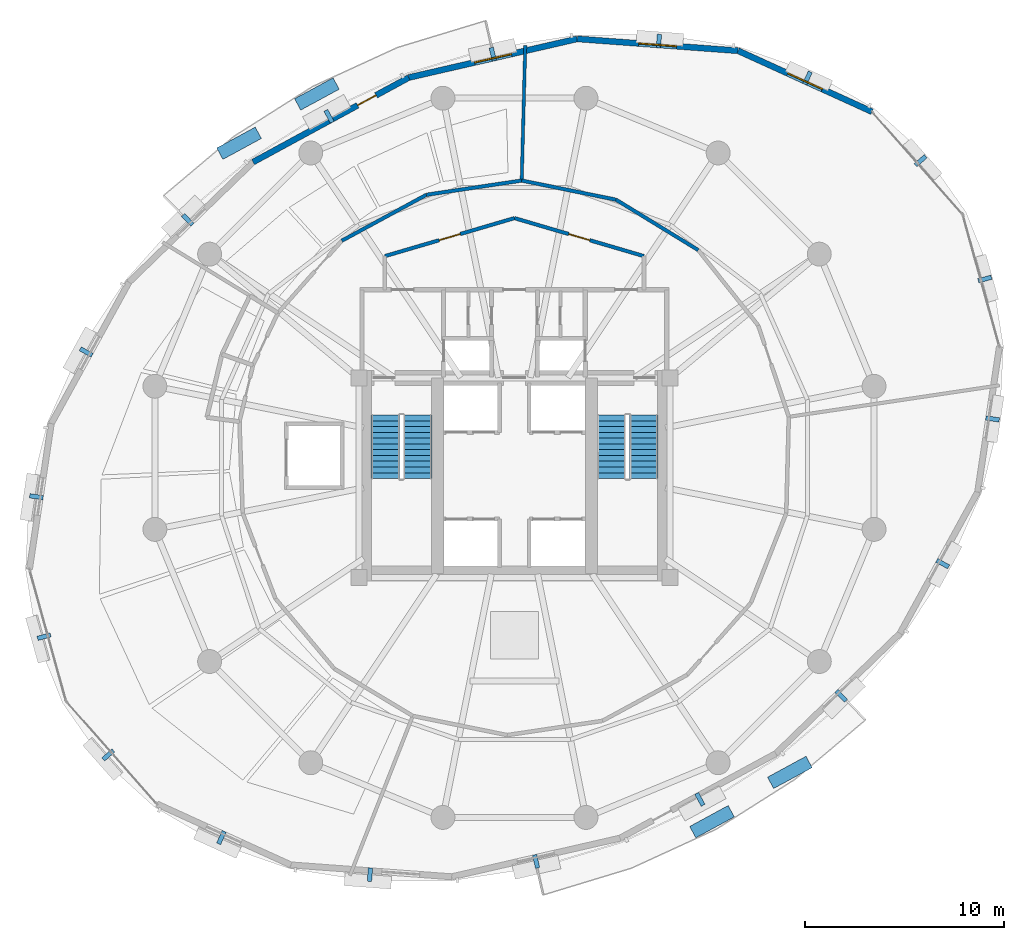
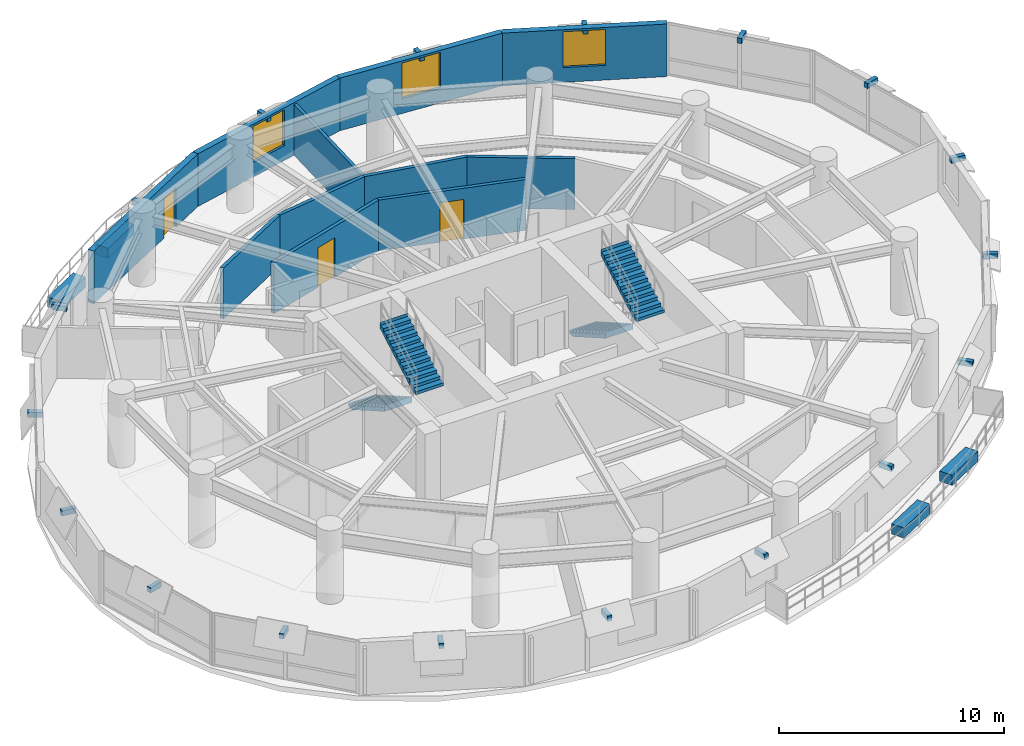
# One storey, part 10 of 12: 22 discrete accessories, 11 walls, 4 stair flights, 3 doors, 3 windows, 6 openings, 2 elements without a shape of their own.
"""IFC4 building model written with IfcOpenShell, lengths in metres."""

from ifc_helpers import new_model, si_unit, direction, frame, frame_2d, origin, origin_2d, place, context, subcontext, project, spatial, polyline, rectangle, outline, extrude, material, layer, layer_set, type_object, element, fill, aggregate, save


model = new_model("IFC4")

# Units and contexts
model_context = context("Model", 3, precision=1e-05, world=origin(), true_north=direction((0.0, 1.0)))
body_context = subcontext(model_context, "Body", "Model", "MODEL_VIEW")
ifc_project = project(units=[si_unit("LENGTHUNIT", "METRE"), si_unit("AREAUNIT", "SQUARE_METRE"), si_unit("VOLUMEUNIT", "CUBIC_METRE"), si_unit("PLANEANGLEUNIT", "RADIAN"), si_unit("MASSUNIT", "GRAM", prefix="KILO"), si_unit("THERMODYNAMICTEMPERATUREUNIT", "KELVIN"), si_unit("POWERUNIT", "WATT")], contexts=[model_context])

# Site, building, storey
site_placement = place(None, origin())
site = spatial("IfcSite", under=ifc_project, at=site_placement, CompositionType="ELEMENT")
building_placement = place(site_placement, origin())
building = spatial("IfcBuilding", under=site, at=building_placement, Name="Ocrelia Relay Tower", CompositionType="ELEMENT")
storey_placement = place(building_placement, frame((0.0, 0.0, 153.800048828125)))
storey = spatial("IfcBuildingStorey", under=building, at=storey_placement, Name="L36", CompositionType="ELEMENT", Elevation=153.800048828125)

# Wall, opening, door
ifc_material_1 = material(Name="Gypsum Fireboard Partition EI60", Category="gypsum")
ifc_layer_1 = layer(ifc_material_1, 0.179931640625, Name="Gypsum Fireboard Partition EI60")
ifc_layer_set_1 = layer_set([ifc_layer_1], Name="Gypsum Fireboard Partition EI60")
wall_type_1 = type_object("IfcWallType", Name="W-CORR-EI60-180", PredefinedType="PARTITIONING", material=ifc_layer_set_1)
wall_1_placement = place(storey_placement, frame((27.5, 36.122802734375, 0.0), z_axis=(0.0, 0.0, 1.0), x_axis=(0.959546654541, 0.281549671923, 0.0)))
wall_1 = element("IfcWall", 1, at=wall_1_placement, inside=storey, type_object=wall_type_1, Name="L36 North Smoke Lobby W Screen Wall", PredefinedType="PARTITIONING", context=body_context, shape_type="SweptSolid", body=[
    extrude(rectangle(XDim=6.77392578125, YDim=0.179931640625, at=frame_2d((3.386962890625, 0.0))), origin(), (0.0, 0.0, 1.0), 2.760009765625),
])
opening_1_placement = place(wall_1_placement, frame((2.8369140625, 0.0, 0.0)))
opening_1 = element("IfcOpeningElement", 2, at=opening_1_placement, cuts=wall_1, Name="Opening D-FD60", PredefinedType="OPENING", context=body_context, shape_type="SweptSolid", body=[
    extrude(rectangle(XDim=1.10009765625, YDim=2.14990234375, at=frame_2d((0.550048828125, 1.074951171875))), frame((0.0, 0.10009765625, 0.0), z_axis=(0.0, -1.0, 0.0), x_axis=(1.0, 0.0, 0.0)), (0.0, 0.0, 1.0), 0.199951171875),
])
ifc_material_2 = material(Name="Timber-core 60-min acoustic fire door", Category="wood")
door_type_1 = type_object("IfcDoorType", Name="DR-LOBBY-FD60-1100", OperationType="NOTDEFINED", PredefinedType="DOOR", material=ifc_material_2)
door_1_placement = place(opening_1_placement, origin())
door_1 = element("IfcDoor", 3, at=door_1_placement, inside=storey, type_object=door_type_1, Name="L36 North Smoke Lobby W Fire Door", OperationType="SINGLE_SWING_RIGHT", OverallHeight=2.14990234375, OverallWidth=1.10009765625, PredefinedType="DOOR", context=body_context, shape_type="SweptSolid", body=[
    extrude(rectangle(XDim=1.10009765625, YDim=2.14990234375, at=frame_2d((0.550048828125, 1.074951171875))), frame((0.0, 0.02490234375, 0.0), z_axis=(0.0, -1.0, 0.0), x_axis=(1.0, 0.0, 0.0)), (0.0, 0.0, 1.0), 0.050048828125),
])
fill(opening_1, door_1)

wall_2_placement = place(storey_placement, frame((34.0, 38.030029296875, 0.0), z_axis=(0.0, 0.0, 1.0), x_axis=(0.959546654541, -0.281549671923, 0.0)))
wall_2 = element("IfcWall", 4, at=wall_2_placement, inside=storey, type_object=wall_type_1, Name="L36 North Smoke Lobby E Screen Wall", PredefinedType="PARTITIONING", context=body_context, shape_type="SweptSolid", body=[
    extrude(rectangle(XDim=6.77392578125, YDim=0.179931640625, at=frame_2d((3.386962890625, 0.0))), origin(), (0.0, 0.0, 1.0), 2.760009765625),
])
opening_2_placement = place(wall_2_placement, frame((2.8369140625, 0.0, 0.0)))
opening_2 = element("IfcOpeningElement", 5, at=opening_2_placement, cuts=wall_2, Name="Opening D-FD60", PredefinedType="OPENING", context=body_context, shape_type="SweptSolid", body=[
    extrude(rectangle(XDim=1.10009765625, YDim=2.14990234375, at=frame_2d((0.550048828125, 1.074951171875))), frame((0.0, 0.10009765625, 0.0), z_axis=(0.0, -1.0, 0.0), x_axis=(1.0, 0.0, 0.0)), (0.0, 0.0, 1.0), 0.199951171875),
])
door_2_placement = place(opening_2_placement, origin())
door_2 = element("IfcDoor", 6, at=door_2_placement, inside=storey, type_object=door_type_1, Name="L36 North Smoke Lobby E Fire Door", OperationType="SINGLE_SWING_LEFT", OverallHeight=2.14990234375, OverallWidth=1.10009765625, PredefinedType="DOOR", context=body_context, shape_type="SweptSolid", body=[
    extrude(rectangle(XDim=1.10009765625, YDim=2.14990234375, at=frame_2d((0.550048828125, 1.074951171875))), frame((0.0, 0.02490234375, 0.0), z_axis=(0.0, -1.0, 0.0), x_axis=(1.0, 0.0, 0.0)), (0.0, 0.0, 1.0), 0.050048828125),
])
fill(opening_2, door_2)

# Walls
wall_3_placement = place(storey_placement, frame((43.2236328125, 36.425537109375, 0.0), z_axis=(0.0, 0.0, 1.0), x_axis=(-0.852638267809, 0.522501659584, 0.0)))
element("IfcWall", 7, at=wall_3_placement, inside=storey, type_object=wall_type_1, Name="L36 Visitor Concierge Foyer Corridor Partition 3", PredefinedType="PARTITIONING", context=body_context, shape_type="SweptSolid", body=[
    extrude(rectangle(XDim=4.834228515625, YDim=0.179931640625, at=frame_2d((2.4169921875, 0.0))), origin(), (0.0, 0.0, 1.0), 2.760009765625),
])
wall_4_placement = place(storey_placement, frame((39.101806640625, 38.951416015625, 0.0), z_axis=(0.0, 0.0, 1.0), x_axis=(-0.979922617064, 0.199378194814, 0.0)))
element("IfcWall", 8, at=wall_4_placement, inside=storey, type_object=wall_type_1, Name="L36 Visitor Concierge Foyer Corridor Partition 4", PredefinedType="PARTITIONING", context=body_context, shape_type="SweptSolid", body=[
    extrude(rectangle(XDim=4.83447265625, YDim=0.179931640625, at=frame_2d((2.417236328125, 0.0))), origin(), (0.0, 0.0, 1.0), 2.760009765625),
])
wall_5_placement = place(storey_placement, frame((34.364501953125, 39.915283203125, 0.0), z_axis=(0.0, 0.0, 1.0), x_axis=(-0.989015847575, -0.147809516765, 0.0)))
element("IfcWall", 9, at=wall_5_placement, inside=storey, type_object=wall_type_1, Name="L36 Sky Observation Lounge Corridor Partition 1", PredefinedType="PARTITIONING", context=body_context, shape_type="SweptSolid", body=[
    extrude(rectangle(XDim=4.834716796875, YDim=0.179931640625, at=frame_2d((2.41748046875, 0.0))), origin(), (0.0, 0.0, 1.0), 2.760009765625),
])
wall_6_placement = place(storey_placement, frame((29.5830078125, 39.20068359375, 0.0), z_axis=(0.0, 0.0, 1.0), x_axis=(-0.878795344005, -0.477198850957, 0.0)))
element("IfcWall", 10, at=wall_6_placement, inside=storey, type_object=wall_type_1, Name="L36 Sky Observation Lounge Corridor Partition 2", PredefinedType="PARTITIONING", context=body_context, shape_type="SweptSolid", body=[
    extrude(rectangle(XDim=4.834228515625, YDim=0.179931640625, at=frame_2d((2.4169921875, 0.0))), origin(), (0.0, 0.0, 1.0), 2.760009765625),
])

# Wall, opening, window
ifc_material_3 = material(Name="Precast concrete C40/50 with oxide terracotta", Category="masonry")
ifc_layer_2 = layer(ifc_material_3, 0.300048828125, Name="Precast concrete C40/50 with oxide terracotta")
ifc_layer_set_2 = layer_set([ifc_layer_2], Name="Precast concrete C40/50 with oxide terracotta")
wall_type_2 = type_object("IfcWallType", Name="W-EXT-TERR-300", PredefinedType="SOLIDWALL", material=ifc_layer_set_2)
wall_7_placement = place(storey_placement, frame((51.9423828125, 43.369873046875, 0.0), z_axis=(0.0, 0.0, 1.0), x_axis=(-0.910116049125, 0.414353444688, 0.0)))
wall_7 = element("IfcWall", 11, at=wall_7_placement, inside=storey, type_object=wall_type_2, Name="L36 Oxide Terracotta Facade Wall 02", PredefinedType="SOLIDWALL", context=body_context, shape_type="SweptSolid", body=[
    extrude(rectangle(XDim=7.38330078125, YDim=0.300048828125, at=frame_2d((3.691650390625, 0.0))), origin(), (0.0, 0.0, 1.0), 2.85986328125),
])
opening_3_placement = place(wall_7_placement, frame((2.741943359375, 0.0, 0.800048828125)))
opening_3 = element("IfcOpeningElement", 12, at=opening_3_placement, cuts=wall_7, Name="Opening W-06", PredefinedType="OPENING", context=body_context, shape_type="SweptSolid", body=[
    extrude(rectangle(XDim=1.89990234375, YDim=1.949951171875, at=frame_2d((0.949951171875, 0.97509765625))), frame((0.0, 0.16015625, 0.0), z_axis=(0.0, -1.0, 0.0), x_axis=(1.0, 0.0, 0.0)), (0.0, 0.0, 1.0), 0.320068359375),
])
ifc_material_4 = material(Name="Clear double-glazed low-E glass", Category="glass")
window_type = type_object("IfcWindowType", Name="WIN-Z2-1900x2100", PartitioningType="DOUBLE_PANEL_VERTICAL", PredefinedType="WINDOW", material=ifc_material_4)
window_1_placement = place(opening_3_placement, origin())
window_1 = element("IfcWindow", 13, at=window_1_placement, inside=storey, type_object=window_type, Name="L36 Facade Module Window 02", OverallHeight=1.949951171875, OverallWidth=1.89990234375, PartitioningType="SINGLE_PANEL", PredefinedType="WINDOW", context=body_context, shape_type="SweptSolid", body=[
    extrude(rectangle(XDim=1.89990234375, YDim=1.949951171875, at=frame_2d((0.949951171875, 0.97509765625))), frame((0.0, 0.030029296875, 0.0), z_axis=(0.0, -1.0, 0.0), x_axis=(1.0, 0.0, 0.0)), (0.0, 0.0, 1.0), 0.06005859375),
])
fill(opening_3, window_1)

wall_8_placement = place(storey_placement, frame((45.22265625, 46.42919921875, 0.0), z_axis=(0.0, 0.0, 1.0), x_axis=(-0.997288779758, 0.073587293535, 0.0)))
wall_8 = element("IfcWall", 14, at=wall_8_placement, inside=storey, type_object=wall_type_2, Name="L36 Oxide Terracotta Facade Wall 03", PredefinedType="SOLIDWALL", context=body_context, shape_type="SweptSolid", body=[
    extrude(rectangle(XDim=8.09521484375, YDim=0.300048828125, at=frame_2d((4.047607421875, 0.0))), origin(), (0.0, 0.0, 1.0), 2.85986328125),
])
opening_4_placement = place(wall_8_placement, frame((3.097900390625, 0.0, 0.800048828125)))
opening_4 = element("IfcOpeningElement", 15, at=opening_4_placement, cuts=wall_8, Name="Opening W-06", PredefinedType="OPENING", context=body_context, shape_type="SweptSolid", body=[
    extrude(rectangle(XDim=1.89990234375, YDim=1.949951171875, at=frame_2d((0.949951171875, 0.97509765625))), frame((0.0, 0.16015625, 0.0), z_axis=(0.0, -1.0, 0.0), x_axis=(1.0, 0.0, 0.0)), (0.0, 0.0, 1.0), 0.320068359375),
])
window_2_placement = place(opening_4_placement, origin())
window_2 = element("IfcWindow", 16, at=window_2_placement, inside=storey, type_object=window_type, Name="L36 Facade Module Window 03", OverallHeight=1.949951171875, OverallWidth=1.89990234375, PartitioningType="SINGLE_PANEL", PredefinedType="WINDOW", context=body_context, shape_type="SweptSolid", body=[
    extrude(rectangle(XDim=1.89990234375, YDim=1.949951171875, at=frame_2d((0.949951171875, 0.97509765625))), frame((0.0, 0.030029296875, 0.0), z_axis=(0.0, -1.0, 0.0), x_axis=(1.0, 0.0, 0.0)), (0.0, 0.0, 1.0), 0.06005859375),
])
fill(opening_4, window_2)

wall_9_placement = place(storey_placement, frame((37.1494140625, 47.02490234375, 0.0), z_axis=(0.0, 0.0, 1.0), x_axis=(-0.974642984393, -0.223765620626, 0.0)))
wall_9 = element("IfcWall", 17, at=wall_9_placement, inside=storey, type_object=wall_type_2, Name="L36 Oxide Terracotta Facade Wall 04", PredefinedType="SOLIDWALL", context=body_context, shape_type="SweptSolid", body=[
    extrude(rectangle(XDim=8.6728515625, YDim=0.300048828125, at=frame_2d((4.33642578125, 0.0))), origin(), (0.0, 0.0, 1.0), 2.85986328125),
])
opening_5_placement = place(wall_9_placement, frame((3.385986328125, 0.0, 0.800048828125)))
opening_5 = element("IfcOpeningElement", 18, at=opening_5_placement, cuts=wall_9, Name="Opening W-06", PredefinedType="OPENING", context=body_context, shape_type="SweptSolid", body=[
    extrude(rectangle(XDim=1.89990234375, YDim=1.949951171875, at=frame_2d((0.949951171875, 0.97509765625))), frame((0.0, 0.16015625, 0.0), z_axis=(0.0, -1.0, 0.0), x_axis=(1.0, 0.0, 0.0)), (0.0, 0.0, 1.0), 0.320068359375),
])
window_3_placement = place(opening_5_placement, origin())
window_3 = element("IfcWindow", 19, at=window_3_placement, inside=storey, type_object=window_type, Name="L36 Facade Module Window 04", OverallHeight=1.949951171875, OverallWidth=1.89990234375, PartitioningType="SINGLE_PANEL", PredefinedType="WINDOW", context=body_context, shape_type="SweptSolid", body=[
    extrude(rectangle(XDim=1.89990234375, YDim=1.949951171875, at=frame_2d((0.949951171875, 0.97509765625))), frame((0.0, 0.030029296875, 0.0), z_axis=(0.0, -1.0, 0.0), x_axis=(1.0, 0.0, 0.0)), (0.0, 0.0, 1.0), 0.06005859375),
])
fill(opening_5, window_3)

# Wall, opening, door
wall_10_placement = place(storey_placement, frame((28.696533203125, 45.084228515625, 0.0), z_axis=(0.0, 0.0, 1.0), x_axis=(-0.878825797179, -0.477142765022, 0.0)))
wall_10 = element("IfcWall", 20, at=wall_10_placement, inside=storey, type_object=wall_type_2, Name="L36 Oxide Terracotta Facade Wall 05", PredefinedType="SOLIDWALL", context=body_context, shape_type="SweptSolid", body=[
    extrude(rectangle(XDim=8.890869140625, YDim=0.300048828125, at=frame_2d((4.4453125, 0.0))), origin(), (0.0, 0.0, 1.0), 2.85986328125),
])
opening_6_placement = place(wall_10_placement, frame((1.8701171875, 0.0, 0.0)))
opening_6 = element("IfcOpeningElement", 21, at=opening_6_placement, cuts=wall_10, Name="Opening DB-105", PredefinedType="OPENING", context=body_context, shape_type="SweptSolid", body=[
    extrude(rectangle(XDim=1.050048828125, YDim=2.14990234375, at=frame_2d((0.52490234375, 1.074951171875))), frame((0.0, 0.16015625, 0.0), z_axis=(0.0, -1.0, 0.0), x_axis=(1.0, 0.0, 0.0)), (0.0, 0.0, 1.0), 0.320068359375),
])
ifc_material_5 = material(Name="Thermally broken aluminium and clear glass", Category="aluminium")
door_type_2 = type_object("IfcDoorType", Name="DR-BALC-1050", OperationType="NOTDEFINED", PredefinedType="DOOR", material=ifc_material_5)
door_3_placement = place(opening_6_placement, origin())
door_3 = element("IfcDoor", 22, at=door_3_placement, inside=storey, type_object=door_type_2, Name="L36 Planted Loggia Balcony Door B1", OperationType="SINGLE_SWING_LEFT", OverallHeight=2.14990234375, OverallWidth=1.050048828125, PredefinedType="DOOR", context=body_context, shape_type="SweptSolid", body=[
    extrude(rectangle(XDim=1.050048828125, YDim=2.14990234375, at=frame_2d((0.52490234375, 1.074951171875))), frame((0.0, 0.02490234375, 0.0), z_axis=(0.0, -1.0, 0.0), x_axis=(1.0, 0.0, 0.0)), (0.0, 0.0, 1.0), 0.050048828125),
])
fill(opening_6, door_3)

# Wall
ifc_material_6 = material(Name="Acoustic Fireboard Partition EI60", Category="gypsum")
ifc_layer_3 = layer(ifc_material_6, 0.159912109375, Name="Acoustic Fireboard Partition EI60")
ifc_layer_set_3 = layer_set([ifc_layer_3], Name="Acoustic Fireboard Partition EI60")
wall_type_3 = type_object("IfcWallType", Name="W-PART-160", PredefinedType="PARTITIONING", material=ifc_layer_set_3)
wall_11_placement = place(storey_placement, frame((34.364501953125, 39.915283203125, 0.0), z_axis=(0.0, 0.0, 1.0), x_axis=(0.026178842232, 0.99965727538, 0.0)))
element("IfcWall", 23, at=wall_11_placement, inside=storey, type_object=wall_type_3, Name="L36 Visitor Concierge Foyer Radial Partition", PredefinedType="PARTITIONING", context=body_context, shape_type="SweptSolid", body=[
    extrude(rectangle(XDim=6.780029296875, YDim=0.159912109375, at=frame_2d((3.39013671875, 0.0))), origin(), (0.0, 0.0, 1.0), 2.760009765625),
])

# Stair, stair flights
ifc_material_7 = material(Name="Concrete C50/60", Category="concrete")
stair_type = type_object("IfcStairType", Name="ST-DL-1420-R167", PredefinedType="HALF_TURN_STAIR", material=ifc_material_7)
stair_1_placement = place(storey_placement, origin())
stair_1 = element("IfcStair", 24, at=stair_1_placement, inside=storey, type_object=stair_type, Name="L36 West Core Exit Stair ST1", PredefinedType="HALF_TURN_STAIR")
stair_flight_type = type_object("IfcStairFlightType", Name="STF-DL-1420-R167", PredefinedType="STRAIGHT", material=ifc_material_7)
stair_flight_1_placement = place(storey_placement, frame((27.52001953125, 28.14990234375, 0.0), z_axis=(0.0, 0.0, 1.0), x_axis=(0.0, -1.0, 0.0)))
stair_flight_1 = element("IfcStairFlight", 25, at=stair_flight_1_placement, type_object=stair_flight_type, Name="ST1 flight 1", NumberOfRisers=12, NumberOfTreads=11, PredefinedType="STRAIGHT", RiserHeight=0.166666667, TreadLength=0.29, context=body_context, shape_type="SweptSolid", body=[
    extrude(outline(polyline([(-0.008056640625, 0.0), (-0.008056640625, 0.166748046875), (0.0, 0.166748046875), (0.2900390625, 0.166748046875), (0.2900390625, 0.333251953125), (0.580078125, 0.333251953125), (0.580078125, 0.5), (0.8701171875, 0.5), (0.8701171875, 0.666748046875), (1.159912109375, 0.666748046875), (1.159912109375, 0.833251953125), (1.449951171875, 0.833251953125), (1.449951171875, 1.0), (1.739990234375, 1.0), (1.739990234375, 1.166748046875), (2.030029296875, 1.166748046875), (2.030029296875, 1.333251953125), (2.320068359375, 1.333251953125), (2.320068359375, 1.5), (2.610107421875, 1.5), (2.610107421875, 1.666748046875), (2.89990234375, 1.666748046875), (2.89990234375, 1.833251953125), (3.18994140625, 1.833251953125), (3.18994140625, 2.0), (3.197998046875, 2.0), (3.197998046875, 1.660400390625), (0.30078125, 0.0), (-0.008056640625, 0.0)])), frame((0.0, 0.7099609375, 0.0), z_axis=(0.0, -1.0, 0.0), x_axis=(1.0, 0.0, 0.0)), (0.0, 0.0, 1.0), 1.419921875),
])
stair_flight_2_placement = place(storey_placement, frame((29.139892578125, 24.9599609375, 2.0), z_axis=(0.0, 0.0, 1.0), x_axis=(0.0, 1.0, 0.0)))
stair_flight_2 = element("IfcStairFlight", 26, at=stair_flight_2_placement, type_object=stair_flight_type, Name="ST1 flight 2", NumberOfRisers=12, NumberOfTreads=11, PredefinedType="STRAIGHT", RiserHeight=0.166666667, TreadLength=0.29, context=body_context, shape_type="SweptSolid", body=[
    extrude(outline(polyline([(-0.008056640625, 0.0), (-0.008056640625, 0.166748046875), (0.0, 0.166748046875), (0.2900390625, 0.166748046875), (0.2900390625, 0.333251953125), (0.580078125, 0.333251953125), (0.580078125, 0.5), (0.8701171875, 0.5), (0.8701171875, 0.666748046875), (1.159912109375, 0.666748046875), (1.159912109375, 0.833251953125), (1.449951171875, 0.833251953125), (1.449951171875, 1.0), (1.739990234375, 1.0), (1.739990234375, 1.166748046875), (2.030029296875, 1.166748046875), (2.030029296875, 1.333251953125), (2.320068359375, 1.333251953125), (2.320068359375, 1.5), (2.610107421875, 1.5), (2.610107421875, 1.666748046875), (2.89990234375, 1.666748046875), (2.89990234375, 1.833251953125), (3.18994140625, 1.833251953125), (3.18994140625, 2.0), (3.197998046875, 2.0), (3.197998046875, 1.660400390625), (0.30078125, 0.0), (-0.008056640625, 0.0)])), frame((0.0, 0.7099609375, 0.0), z_axis=(0.0, -1.0, 0.0), x_axis=(1.0, 0.0, 0.0)), (0.0, 0.0, 1.0), 1.419921875),
])
aggregate(stair_1, [stair_flight_1, stair_flight_2])

stair_2_placement = place(storey_placement, origin())
stair_2 = element("IfcStair", 27, at=stair_2_placement, inside=storey, type_object=stair_type, Name="L36 East Core Exit Stair ST2", PredefinedType="HALF_TURN_STAIR")
stair_flight_3_placement = place(storey_placement, frame((38.8701171875, 28.14990234375, 0.0), z_axis=(0.0, 0.0, 1.0), x_axis=(0.0, -1.0, 0.0)))
stair_flight_3 = element("IfcStairFlight", 28, at=stair_flight_3_placement, type_object=stair_flight_type, Name="ST2 flight 1", NumberOfRisers=12, NumberOfTreads=11, PredefinedType="STRAIGHT", RiserHeight=0.166666667, TreadLength=0.29, context=body_context, shape_type="SweptSolid", body=[
    extrude(outline(polyline([(-0.008056640625, 0.0), (-0.008056640625, 0.166748046875), (0.0, 0.166748046875), (0.2900390625, 0.166748046875), (0.2900390625, 0.333251953125), (0.580078125, 0.333251953125), (0.580078125, 0.5), (0.8701171875, 0.5), (0.8701171875, 0.666748046875), (1.159912109375, 0.666748046875), (1.159912109375, 0.833251953125), (1.449951171875, 0.833251953125), (1.449951171875, 1.0), (1.739990234375, 1.0), (1.739990234375, 1.166748046875), (2.030029296875, 1.166748046875), (2.030029296875, 1.333251953125), (2.320068359375, 1.333251953125), (2.320068359375, 1.5), (2.610107421875, 1.5), (2.610107421875, 1.666748046875), (2.89990234375, 1.666748046875), (2.89990234375, 1.833251953125), (3.18994140625, 1.833251953125), (3.18994140625, 2.0), (3.197998046875, 2.0), (3.197998046875, 1.660400390625), (0.30078125, 0.0), (-0.008056640625, 0.0)])), frame((0.0, 0.7099609375, 0.0), z_axis=(0.0, -1.0, 0.0), x_axis=(1.0, 0.0, 0.0)), (0.0, 0.0, 1.0), 1.419921875),
])
stair_flight_4_placement = place(storey_placement, frame((40.489990234375, 24.9599609375, 2.0), z_axis=(0.0, 0.0, 1.0), x_axis=(0.0, 1.0, 0.0)))
stair_flight_4 = element("IfcStairFlight", 29, at=stair_flight_4_placement, type_object=stair_flight_type, Name="ST2 flight 2", NumberOfRisers=12, NumberOfTreads=11, PredefinedType="STRAIGHT", RiserHeight=0.166666667, TreadLength=0.29, context=body_context, shape_type="SweptSolid", body=[
    extrude(outline(polyline([(-0.008056640625, 0.0), (-0.008056640625, 0.166748046875), (0.0, 0.166748046875), (0.2900390625, 0.166748046875), (0.2900390625, 0.333251953125), (0.580078125, 0.333251953125), (0.580078125, 0.5), (0.8701171875, 0.5), (0.8701171875, 0.666748046875), (1.159912109375, 0.666748046875), (1.159912109375, 0.833251953125), (1.449951171875, 0.833251953125), (1.449951171875, 1.0), (1.739990234375, 1.0), (1.739990234375, 1.166748046875), (2.030029296875, 1.166748046875), (2.030029296875, 1.333251953125), (2.320068359375, 1.333251953125), (2.320068359375, 1.5), (2.610107421875, 1.5), (2.610107421875, 1.666748046875), (2.89990234375, 1.666748046875), (2.89990234375, 1.833251953125), (3.18994140625, 1.833251953125), (3.18994140625, 2.0), (3.197998046875, 2.0), (3.197998046875, 1.660400390625), (0.30078125, 0.0), (-0.008056640625, 0.0)])), frame((0.0, 0.7099609375, 0.0), z_axis=(0.0, -1.0, 0.0), x_axis=(1.0, 0.0, 0.0)), (0.0, 0.0, 1.0), 1.419921875),
])
aggregate(stair_2, [stair_flight_3, stair_flight_4])

# Discrete accessories
ifc_material_8 = material(Name="Precast concrete C40/50 planter with highland greenery", Category="concrete")
discrete_accessory_type_1 = type_object("IfcDiscreteAccessoryType", Name="ACC-BALC-PLANTER", PredefinedType="USERDEFINED", material=ifc_material_8)
for number, where, z_axis, x_axis, name in (
    (30, (24.0859375, 44.259521484375, 0.0), (0.0, 0.0, 1.0), (0.878815090926, 0.477162483815, 0.0), "L36 Balcony Terracotta Planter with Greenery B1"),
    (31, (20.180908203125, 41.787109375, 0.0), (0.0, 0.0, 1.0), (0.878815090926, 0.477162483815, 0.0), "L36 Balcony Terracotta Planter B1-2"),
    (32, (43.9140625, 7.740478515625, 0.0), (0.0, 0.0, 1.0), (-0.878815090926, -0.477162483815, 0.0), "L36 Balcony Terracotta Planter with Greenery B2"),
    (33, (47.819091796875, 10.212890625, 0.0), (0.0, 0.0, 1.0), (-0.878815090926, -0.477162483815, 0.0), "L36 Balcony Terracotta Planter B2-2"),
):
    element("IfcDiscreteAccessory", number, at=place(storey_placement, frame(where, z_axis=z_axis, x_axis=x_axis)), inside=storey, type_object=discrete_accessory_type_1, Name=name, ObjectType="PLANTER", PredefinedType="USERDEFINED", context=body_context, shape_type="SweptSolid", body=[
        extrude(rectangle(XDim=2.199951171875, YDim=0.64990234375, at=origin_2d()), origin(), (0.0, 0.0, 1.0), 0.550048828125),
    ])
ifc_material_9 = material(Name="Steel S355", Category="steel")
discrete_accessory_type_2 = type_object("IfcDiscreteAccessoryType", Name="ACC-VISOR-BRACKET", PredefinedType="BRACKET", material=ifc_material_9)
for number, where, z_axis, x_axis, name in (
    (34, (54.38134765625, 40.91064453125, 2.56005859375), (0.0, 0.0, 1.0), (-0.662219056537, 0.74931029698, 0.0), "L36 Visor Mounting Bracket 01"),
    (35, (48.70458984375, 45.057861328125, 2.56005859375), (0.0, 0.0, 1.0), (-0.910104227307, 0.414379410006, 0.0), "L36 Visor Mounting Bracket 02"),
    (36, (41.251708984375, 46.916015625, 2.56005859375), (0.0, 0.0, 1.0), (-0.997290592698, 0.073562719608, 0.0), "L36 Visor Mounting Bracket 03"),
    (37, (32.912353515625, 46.25439453125, 2.56005859375), (0.0, 0.0, 1.0), (-0.974648043129, -0.22374358544, 0.0), "L36 Visor Mounting Bracket 04"),
    (38, (24.6943359375, 43.138916015625, 2.56005859375), (0.0, 0.0, 1.0), (-0.878818530607, -0.477156148721, 0.0), "L36 Visor Mounting Bracket 05"),
    (39, (17.605712890625, 37.943603515625, 2.56005859375), (0.0, 0.0, 1.0), (-0.71847480922, -0.69555298038, 0.0), "L36 Visor Mounting Bracket 06"),
    (40, (12.5087890625, 31.31005859375, 2.56005859375), (0.0, 0.0, 1.0), (-0.481477672977, -0.876458356355, 0.0), "L36 Visor Mounting Bracket 07"),
    (41, (10.008056640625, 24.04736328125, 2.56005859375), (0.0, 0.0, 1.0), (-0.148143748099, -0.988965838591, 0.0), "L36 Visor Mounting Bracket 08"),
    (42, (10.394287109375, 17.027587890625, 2.56005859375), (0.0, 0.0, 1.0), (0.267754075452, -0.963487288488, 0.0), "L36 Visor Mounting Bracket 09"),
    (43, (13.61865234375, 11.08935546875, 2.56005859375), (0.0, 0.0, 1.0), (0.662219056537, -0.74931029698, 0.0), "L36 Visor Mounting Bracket 10"),
    (44, (19.29541015625, 6.942138671875, 2.56005859375), (0.0, 0.0, 1.0), (0.910104227307, -0.414379410006, 0.0), "L36 Visor Mounting Bracket 11"),
    (45, (26.748291015625, 5.083984375, 2.56005859375), (0.0, 0.0, 1.0), (0.997290592698, -0.073562719608, 0.0), "L36 Visor Mounting Bracket 12"),
    (46, (35.087646484375, 5.74560546875, 2.56005859375), (0.0, 0.0, 1.0), (0.974648043129, 0.22374358544, 0.0), "L36 Visor Mounting Bracket 13"),
    (47, (43.3056640625, 8.861083984375, 2.56005859375), (0.0, 0.0, 1.0), (0.878818530607, 0.477156148721, 0.0), "L36 Visor Mounting Bracket 14"),
    (48, (50.394287109375, 14.056396484375, 2.56005859375), (0.0, 0.0, 1.0), (0.71847480922, 0.69555298038, 0.0), "L36 Visor Mounting Bracket 15"),
    (49, (55.4912109375, 20.68994140625, 2.56005859375), (0.0, 0.0, 1.0), (0.481477672977, 0.876458356355, 0.0), "L36 Visor Mounting Bracket 16"),
    (50, (57.991943359375, 27.95263671875, 2.56005859375), (0.0, 0.0, 1.0), (0.148143748099, 0.988965838591, 0.0), "L36 Visor Mounting Bracket 17"),
    (51, (57.605712890625, 34.972412109375, 2.56005859375), (0.0, 0.0, 1.0), (-0.267754075452, 0.963487288488, 0.0), "L36 Visor Mounting Bracket 18"),
):
    element("IfcDiscreteAccessory", number, at=place(storey_placement, frame(where, z_axis=z_axis, x_axis=x_axis)), inside=storey, type_object=discrete_accessory_type_2, Name=name, PredefinedType="BRACKET", context=body_context, shape_type="SweptSolid", body=[
        extrude(rectangle(XDim=0.219970703125, YDim=0.679931640625, at=origin_2d()), origin(), (0.0, 0.0, 1.0), 0.280029296875),
    ])

save(model, "model.ifc")
